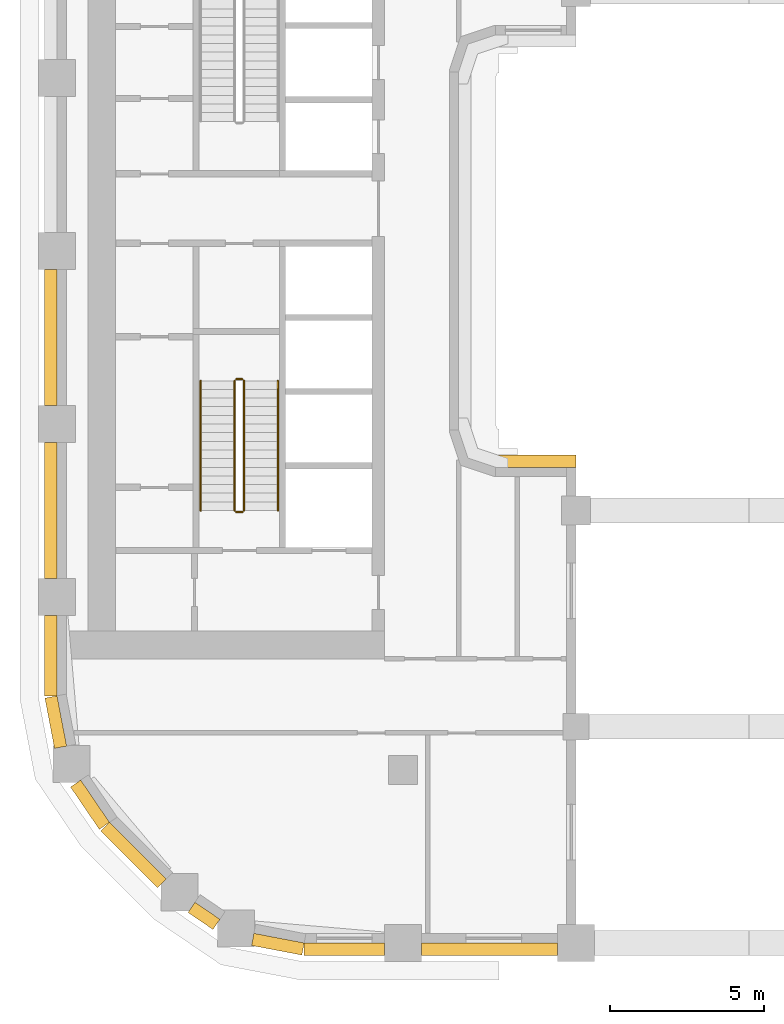
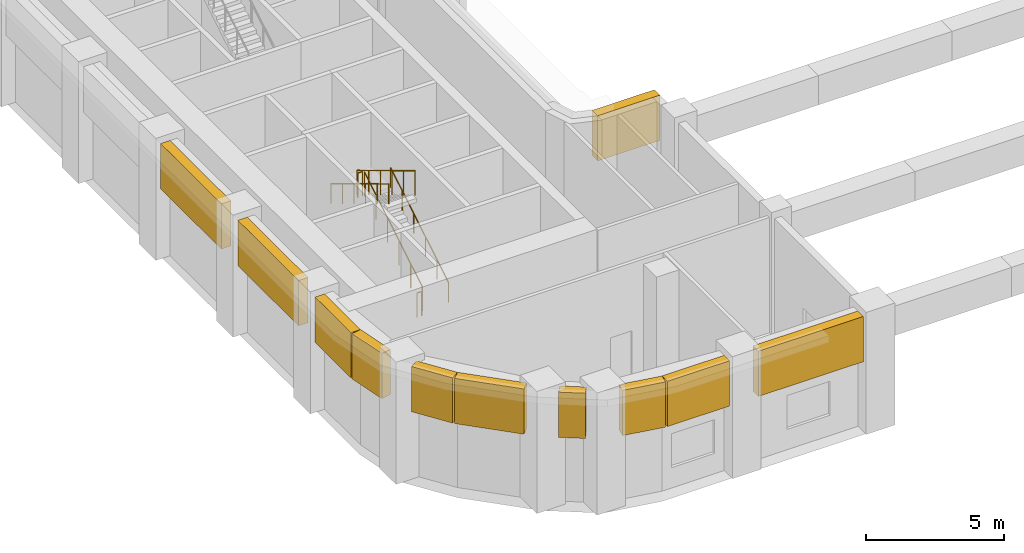
# One storey, part 8 of 14: 11 coverings, 6 railings.
"""IFC4 building model written with IfcOpenShell, lengths in metres."""

from ifc_helpers import new_model, si_unit, direction, frame, origin, origin_2d, place, context, subcontext, project, spatial, rectangle, circle, extrude, material, type_object, element, save


model = new_model("IFC4")

# Units and contexts
model_context = context("Model", 3, precision=1e-05, world=origin(), true_north=direction((0.0, 1.0)))
body_context = subcontext(model_context, "Body", "Model", "MODEL_VIEW")
ifc_project = project(units=[si_unit("LENGTHUNIT", "METRE"), si_unit("AREAUNIT", "SQUARE_METRE"), si_unit("VOLUMEUNIT", "CUBIC_METRE"), si_unit("PLANEANGLEUNIT", "RADIAN"), si_unit("MASSUNIT", "GRAM", prefix="KILO")], contexts=[model_context])

# Site, building, storey
site_placement = place(None, origin())
site = spatial("IfcSite", under=ifc_project, at=site_placement, CompositionType="ELEMENT")
building_placement = place(site_placement, origin())
building = spatial("IfcBuilding", under=site, at=building_placement, Name="Kiln Ring Residences", CompositionType="ELEMENT")
storey_placement = place(building_placement, frame((0.0, 0.0, 130.699951171875)))
storey = spatial("IfcBuildingStorey", under=building, at=storey_placement, Name="L33", CompositionType="ELEMENT", Elevation=130.699951171875)

# Railings
ifc_material_1 = material(Name="Stainless steel", Category="steel")
railing_type_1 = type_object("IfcRailingType", Name="CORE-STAIR-GUARD", PredefinedType="GUARDRAIL", material=ifc_material_1)
railing_1_placement = place(storey_placement, frame((-21.949951171875, -8.39990234375, 0.168701171875)))
element("IfcRailing", 1, at=railing_1_placement, inside=storey, type_object=railing_type_1, Name="L33 W-STS stair guard 1", PredefinedType="GUARDRAIL", context=body_context, shape_type="SweptSolid", body=[
    extrude(circle(Radius=0.02392578125, at=origin_2d()), frame((0.0, 0.0, 1.076171875), z_axis=(0.0, 0.856476492594, 0.516186030065), x_axis=(-1.0, 0.0, 0.0)), (0.0, 0.0, 1.0), 4.90380859375),
    extrude(circle(Radius=0.02099609375, at=origin_2d()), origin(), (0.0, 0.0, 1.0), 1.052001953125),
    extrude(circle(Radius=0.02099609375, at=origin_2d()), frame((0.0, 0.840087890625, 0.50634765625)), (0.0, 0.0, 1.0), 1.052001953125),
    extrude(circle(Radius=0.02099609375, at=origin_2d()), frame((0.0, 1.679931640625, 1.012451171875)), (0.0, 0.0, 1.0), 1.052001953125),
    extrude(circle(Radius=0.02099609375, at=origin_2d()), frame((0.0, 2.52001953125, 1.518798828125)), (0.0, 0.0, 1.0), 1.052001953125),
    extrude(circle(Radius=0.02099609375, at=origin_2d()), frame((0.0, 3.35986328125, 2.02490234375)), (0.0, 0.0, 1.0), 1.052001953125),
    extrude(circle(Radius=0.02099609375, at=origin_2d()), frame((0.0, 4.199951171875, 2.53125)), (0.0, 0.0, 1.0), 1.052001953125),
])
railing_2_placement = place(storey_placement, frame((-22.0, -4.14990234375, 2.699951171875)))
element("IfcRailing", 2, at=railing_2_placement, inside=storey, type_object=railing_type_1, Name="L33 W-STS stair guard 2", PredefinedType="GUARDRAIL", context=body_context, shape_type="SweptSolid", body=[
    extrude(circle(Radius=0.02392578125, at=origin_2d()), frame((0.0, 0.0, 1.076171875), z_axis=(-1.0, 0.0, 0.0), x_axis=(0.0, -1.0, 0.0)), (0.0, 0.0, 1.0), 0.199951171875),
    extrude(circle(Radius=0.02099609375, at=origin_2d()), origin(), (0.0, 0.0, 1.0), 1.052001953125),
    extrude(circle(Radius=0.02099609375, at=origin_2d()), frame((-0.199951171875, 0.0, 0.0)), (0.0, 0.0, 1.0), 1.052001953125),
])
railing_3_placement = place(storey_placement, frame((-22.25, -4.199951171875, 2.868896484375)))
element("IfcRailing", 3, at=railing_3_placement, inside=storey, type_object=railing_type_1, Name="L33 W-STS stair guard 3", PredefinedType="GUARDRAIL", context=body_context, shape_type="SweptSolid", body=[
    extrude(circle(Radius=0.02392578125, at=origin_2d()), frame((0.0, 0.0, 1.076171875), z_axis=(0.0, -0.856476492594, 0.516186030065), x_axis=(1.0, 0.0, 0.0)), (0.0, 0.0, 1.0), 4.90380859375),
    extrude(circle(Radius=0.02099609375, at=origin_2d()), origin(), (0.0, 0.0, 1.0), 1.052001953125),
    extrude(circle(Radius=0.02099609375, at=origin_2d()), frame((0.0, -0.840087890625, 0.50634765625)), (0.0, 0.0, 1.0), 1.052001953125),
    extrude(circle(Radius=0.02099609375, at=origin_2d()), frame((0.0, -1.679931640625, 1.012451171875)), (0.0, 0.0, 1.0), 1.052001953125),
    extrude(circle(Radius=0.02099609375, at=origin_2d()), frame((0.0, -2.52001953125, 1.518798828125)), (0.0, 0.0, 1.0), 1.052001953125),
    extrude(circle(Radius=0.02099609375, at=origin_2d()), frame((0.0, -3.35986328125, 2.02490234375)), (0.0, 0.0, 1.0), 1.052001953125),
    extrude(circle(Radius=0.02099609375, at=origin_2d()), frame((0.0, -4.199951171875, 2.53125)), (0.0, 0.0, 1.0), 1.052001953125),
])
railing_4_placement = place(storey_placement, frame((-22.0, -8.449951171875, 0.0)))
element("IfcRailing", 4, at=railing_4_placement, inside=storey, type_object=railing_type_1, Name="L33 W-STS stair guard 4", PredefinedType="GUARDRAIL", context=body_context, shape_type="SweptSolid", body=[
    extrude(circle(Radius=0.02392578125, at=origin_2d()), frame((0.0, 0.0, 1.076171875), z_axis=(-1.0, 0.0, 0.0), x_axis=(0.0, -1.0, 0.0)), (0.0, 0.0, 1.0), 0.199951171875),
    extrude(circle(Radius=0.02099609375, at=origin_2d()), origin(), (0.0, 0.0, 1.0), 1.052001953125),
    extrude(circle(Radius=0.02099609375, at=origin_2d()), frame((-0.199951171875, 0.0, 0.0)), (0.0, 0.0, 1.0), 1.052001953125),
])
ifc_material_2 = material(Name="Stainless steel", Category="steel")
railing_type_2 = type_object("IfcRailingType", Name="CORE-STAIR-HANDRAIL", PredefinedType="HANDRAIL", material=ifc_material_2)
railing_5_placement = place(storey_placement, frame((-20.85009765625, -8.39990234375, 0.168701171875)))
element("IfcRailing", 5, at=railing_5_placement, inside=storey, type_object=railing_type_2, Name="L33 W-STS stair handrail 1", PredefinedType="HANDRAIL", context=body_context, shape_type="SweptSolid", body=[
    extrude(circle(Radius=0.02392578125, at=origin_2d()), frame((0.0, 0.0, 0.8759765625), z_axis=(0.0, 0.856476492594, 0.516186030065), x_axis=(-1.0, 0.0, 0.0)), (0.0, 0.0, 1.0), 4.90380859375),
    extrude(circle(Radius=0.02099609375, at=origin_2d()), origin(), (0.0, 0.0, 1.0), 0.851806640625),
    extrude(circle(Radius=0.02099609375, at=origin_2d()), frame((0.0, 0.840087890625, 0.50634765625)), (0.0, 0.0, 1.0), 0.851806640625),
    extrude(circle(Radius=0.02099609375, at=origin_2d()), frame((0.0, 1.679931640625, 1.012451171875)), (0.0, 0.0, 1.0), 0.851806640625),
    extrude(circle(Radius=0.02099609375, at=origin_2d()), frame((0.0, 2.52001953125, 1.518798828125)), (0.0, 0.0, 1.0), 0.851806640625),
    extrude(circle(Radius=0.02099609375, at=origin_2d()), frame((0.0, 3.35986328125, 2.02490234375)), (0.0, 0.0, 1.0), 0.851806640625),
    extrude(circle(Radius=0.02099609375, at=origin_2d()), frame((0.0, 4.199951171875, 2.53125)), (0.0, 0.0, 1.0), 0.851806640625),
])
railing_6_placement = place(storey_placement, frame((-23.35009765625, -4.199951171875, 2.868896484375)))
element("IfcRailing", 6, at=railing_6_placement, inside=storey, type_object=railing_type_2, Name="L33 W-STS stair handrail 2", PredefinedType="HANDRAIL", context=body_context, shape_type="SweptSolid", body=[
    extrude(circle(Radius=0.02392578125, at=origin_2d()), frame((0.0, 0.0, 0.8759765625), z_axis=(0.0, -0.856476492594, 0.516186030065), x_axis=(1.0, 0.0, 0.0)), (0.0, 0.0, 1.0), 4.90380859375),
    extrude(circle(Radius=0.02099609375, at=origin_2d()), origin(), (0.0, 0.0, 1.0), 0.851806640625),
    extrude(circle(Radius=0.02099609375, at=origin_2d()), frame((0.0, -0.840087890625, 0.50634765625)), (0.0, 0.0, 1.0), 0.851806640625),
    extrude(circle(Radius=0.02099609375, at=origin_2d()), frame((0.0, -1.679931640625, 1.012451171875)), (0.0, 0.0, 1.0), 0.851806640625),
    extrude(circle(Radius=0.02099609375, at=origin_2d()), frame((0.0, -2.52001953125, 1.518798828125)), (0.0, 0.0, 1.0), 0.851806640625),
    extrude(circle(Radius=0.02099609375, at=origin_2d()), frame((0.0, -3.35986328125, 2.02490234375)), (0.0, 0.0, 1.0), 0.851806640625),
    extrude(circle(Radius=0.02099609375, at=origin_2d()), frame((0.0, -4.199951171875, 2.53125)), (0.0, 0.0, 1.0), 0.851806640625),
])

# Coverings
ifc_material_3 = material(Name="Concrete C35/45, exposed aggregate finish", Category="concrete")
covering_type = type_object("IfcCoveringType", Name="TIE BAND 2000 x 400", PredefinedType="CLADDING", material=ifc_material_3)
covering_1_placement = place(storey_placement, frame((-28.041259765625, -15.2509765625, 3.10009765625), z_axis=(0.0, 0.0, 1.0), x_axis=(0.187365550382, -0.98229025778, 0.0)))
element("IfcCovering", 7, at=covering_1_placement, inside=storey, type_object=covering_type, Name="TIE BAND L33", PredefinedType="CLADDING", context=body_context, shape_type="SweptSolid", body=[
    extrude(rectangle(XDim=1.65625, YDim=0.39990234375, at=origin_2d()), origin(), (0.0, 0.0, 1.0), 2.0),
])
covering_2_placement = place(storey_placement, frame((-26.933837890625, -17.924560546875, 3.10009765625), z_axis=(0.0, 0.0, 1.0), x_axis=(0.562096651134, -0.827071553606, 0.0)))
element("IfcCovering", 8, at=covering_2_placement, inside=storey, type_object=covering_type, Name="TIE BAND L33", PredefinedType="CLADDING", context=body_context, shape_type="SweptSolid", body=[
    extrude(rectangle(XDim=1.656005859375, YDim=0.39990234375, at=origin_2d()), origin(), (0.0, 0.0, 1.0), 2.0),
])
covering_3_placement = place(storey_placement, frame((-25.525146484375, -19.5576171875, 3.10009765625), z_axis=(0.0, 0.0, 1.0), x_axis=(0.707106781187, -0.707106781187, 0.0)))
element("IfcCovering", 9, at=covering_3_placement, inside=storey, type_object=covering_type, Name="TIE BAND L33", PredefinedType="CLADDING", context=body_context, shape_type="SweptSolid", body=[
    extrude(rectangle(XDim=2.60009765625, YDim=0.39990234375, at=origin_2d()), origin(), (0.0, 0.0, 1.0), 2.0),
])
covering_4_placement = place(storey_placement, frame((-23.243896484375, -21.524658203125, 3.10009765625), z_axis=(0.0, 0.0, 1.0), x_axis=(0.827071553606, -0.562096651134, 0.0)))
element("IfcCovering", 10, at=covering_4_placement, inside=storey, type_object=covering_type, Name="TIE BAND L33", PredefinedType="CLADDING", context=body_context, shape_type="SweptSolid", body=[
    extrude(rectangle(XDim=0.97705078125, YDim=0.39990234375, at=origin_2d()), origin(), (0.0, 0.0, 1.0), 2.0),
])
covering_5_placement = place(storey_placement, frame((-20.850830078125, -22.44140625, 3.10009765625), z_axis=(0.0, 0.0, 1.0), x_axis=(0.98229025778, -0.187365550382, 0.0)))
element("IfcCovering", 11, at=covering_5_placement, inside=storey, type_object=covering_type, Name="TIE BAND L33", PredefinedType="CLADDING", context=body_context, shape_type="SweptSolid", body=[
    extrude(rectangle(XDim=1.65625, YDim=0.39990234375, at=origin_2d()), origin(), (0.0, 0.0, 1.0), 2.0),
])
covering_6_placement = place(storey_placement, frame((-18.699951171875, -22.60009765625, 3.10009765625), z_axis=(0.0, 0.0, 1.0), x_axis=(1.0, 0.0, 0.0)))
element("IfcCovering", 12, at=covering_6_placement, inside=storey, type_object=covering_type, Name="TIE BAND L33", PredefinedType="CLADDING", context=body_context, shape_type="SweptSolid", body=[
    extrude(rectangle(XDim=2.60009765625, YDim=0.39990234375, at=origin_2d()), origin(), (0.0, 0.0, 1.0), 2.0),
])
covering_7_placement = place(storey_placement, frame((-14.0, -22.60009765625, 3.10009765625), z_axis=(0.0, 0.0, 1.0), x_axis=(1.0, 0.0, 0.0)))
element("IfcCovering", 13, at=covering_7_placement, inside=storey, type_object=covering_type, Name="TIE BAND L33", PredefinedType="CLADDING", context=body_context, shape_type="SweptSolid", body=[
    extrude(rectangle(XDim=4.39990234375, YDim=0.39990234375, at=origin_2d()), origin(), (0.0, 0.0, 1.0), 2.0),
])
covering_8_placement = place(storey_placement, frame((-12.5, -6.800048828125, 3.10009765625), z_axis=(0.0, 0.0, 1.0), x_axis=(-1.0, 0.0, 0.0)))
element("IfcCovering", 14, at=covering_8_placement, inside=storey, type_object=covering_type, Name="TIE BAND L33", PredefinedType="CLADDING", context=body_context, shape_type="SweptSolid", body=[
    extrude(rectangle(XDim=2.60009765625, YDim=0.39990234375, at=origin_2d()), origin(), (0.0, 0.0, 1.0), 2.0),
])
for number, where, z_axis, x_axis, name in (
    (15, (-28.199951171875, -2.800048828125, 3.10009765625), (0.0, 0.0, 1.0), (0.0, -1.0, 0.0), "TIE BAND L33"),
    (16, (-28.199951171875, -8.39990234375, 3.10009765625), (0.0, 0.0, 1.0), (0.0, -1.0, 0.0), "TIE BAND L33"),
):
    element("IfcCovering", number, at=place(storey_placement, frame(where, z_axis=z_axis, x_axis=x_axis)), inside=storey, type_object=covering_type, Name=name, PredefinedType="CLADDING", context=body_context, shape_type="SweptSolid", body=[
        extrude(rectangle(XDim=4.39990234375, YDim=0.39990234375, at=origin_2d()), origin(), (0.0, 0.0, 1.0), 2.0),
    ])
covering_9_placement = place(storey_placement, frame((-28.199951171875, -13.10009765625, 3.10009765625), z_axis=(0.0, 0.0, 1.0), x_axis=(0.0, -1.0, 0.0)))
element("IfcCovering", 17, at=covering_9_placement, inside=storey, type_object=covering_type, Name="TIE BAND L33", PredefinedType="CLADDING", context=body_context, shape_type="SweptSolid", body=[
    extrude(rectangle(XDim=2.60009765625, YDim=0.39990234375, at=origin_2d()), origin(), (0.0, 0.0, 1.0), 2.0),
])

save(model, "model.ifc")
